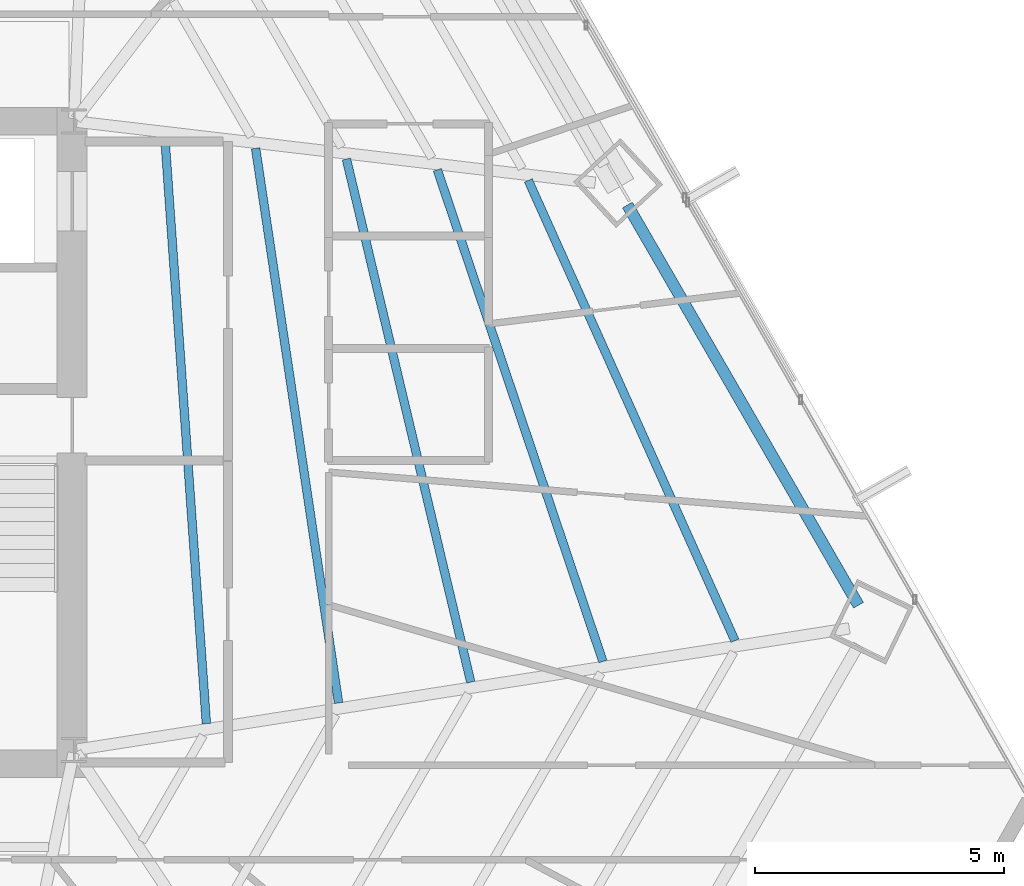
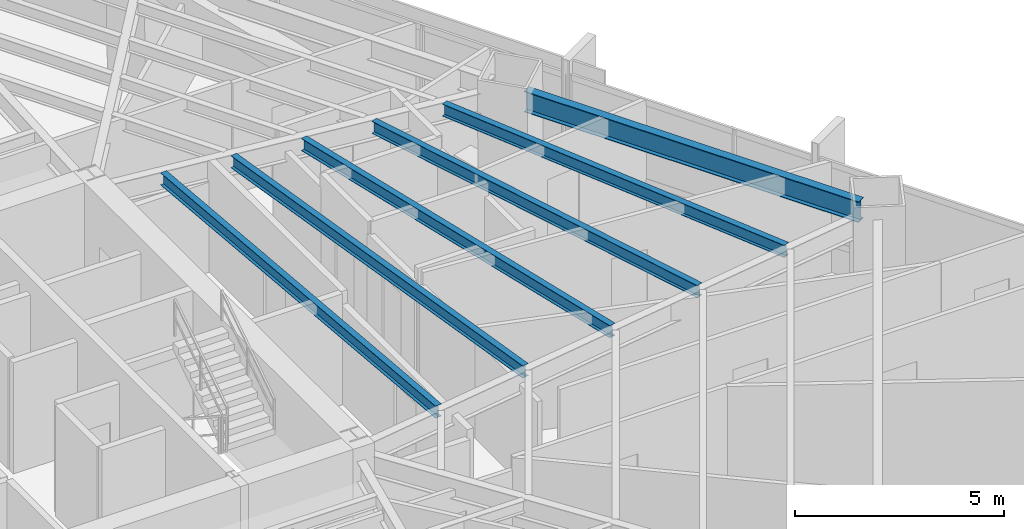
# One storey, part 20 of 39: 6 beams.
"""IFC4 building model written with IfcOpenShell, lengths in metres."""

from ifc_helpers import new_model, si_unit, direction, frame, origin, origin_2d, place, context, subcontext, project, spatial, i_section, extrude, source, transform, mapped, material, material_profile, profile_set, type_object, type_shapes, element, save


model = new_model("IFC4")

# Units and contexts
model_context = context("Model", 3, precision=1e-05, world=origin(), true_north=direction((0.0, 1.0)))
body_context = subcontext(model_context, "Body", "Model", "MODEL_VIEW")
ifc_project = project(units=[si_unit("LENGTHUNIT", "METRE"), si_unit("AREAUNIT", "SQUARE_METRE"), si_unit("VOLUMEUNIT", "CUBIC_METRE"), si_unit("PLANEANGLEUNIT", "RADIAN"), si_unit("MASSUNIT", "GRAM", prefix="KILO")], contexts=[model_context])

# Site, building, storey
site_placement = place(None, origin())
site = spatial("IfcSite", under=ifc_project, at=site_placement, CompositionType="ELEMENT")
building_placement = place(site_placement, origin())
building = spatial("IfcBuilding", under=site, at=building_placement, Name="Caelisora Broadcast Tower", CompositionType="ELEMENT")
storey_placement = place(building_placement, frame((0.0, 0.0, 71.39990234375)))
storey = spatial("IfcBuildingStorey", under=building, at=storey_placement, Name="L18", CompositionType="ELEMENT", Elevation=71.39990234375)

# Beams
ifc_material = material(Name="Steel Grade 350 (AS/NZS 3679.1)", Category="steel")
ifc_material_profile_1 = material_profile(ifc_material, i_section(OverallWidth=0.22900390625, OverallDepth=0.611572265625, WebThickness=0.011962890625, FlangeThickness=0.01953125, at=origin_2d()), Name="Steel Grade 350 (AS/NZS 3679.1)")
ifc_profile_set_1 = profile_set([ifc_material_profile_1], Name="Steel Grade 350 (AS/NZS 3679.1)")
beam_type_1 = type_object("IfcBeamType", Name="PG03", PredefinedType="BEAM", material=ifc_profile_set_1)
shared_shape_1 = source(origin(), body_context, "Body", "SweptSolid", [
    extrude(i_section(OverallWidth=0.22900390625, OverallDepth=0.611572265625, WebThickness=0.011962890625, FlangeThickness=0.01953125, at=origin_2d()), origin(), (0.0, 0.0, 1.0), 9.260986328125),
])
type_shapes(beam_type_1, [shared_shape_1])
beam_1_placement = place(storey_placement, frame((61.219482421875, 20.302978515625, 2.9443359375), z_axis=(-0.499989447885, 0.866031495965, 0.0), x_axis=(-0.866031495965, -0.499989447885, 0.0)))
element("IfcBeam", 1, at=beam_1_placement, inside=storey, type_object=beam_type_1, Name="L18 beam PG03", PredefinedType="BEAM", context=body_context, shape_type="MappedRepresentation", body=[
    mapped(shared_shape_1, transform((0.0, 0.0, 0.0), scale=1.0)),
])
ifc_material_profile_2 = material_profile(ifc_material, i_section(OverallWidth=0.172119140625, OverallDepth=0.358642578125, WebThickness=0.008056640625, FlangeThickness=0.012939453125, at=origin_2d()), Name="Steel Grade 350 (AS/NZS 3679.1)")
ifc_profile_set_2 = profile_set([ifc_material_profile_2], Name="Steel Grade 350 (AS/NZS 3679.1)")
beam_type_2 = type_object("IfcBeamType", Name="SB02", PredefinedType="JOIST", material=ifc_profile_set_2)
shared_shape_2 = source(origin(), body_context, "Body", "SweptSolid", [
    extrude(i_section(OverallWidth=0.172119140625, OverallDepth=0.358642578125, WebThickness=0.008056640625, FlangeThickness=0.012939453125, at=origin_2d()), origin(), (0.0, 0.0, 1.0), 11.775146484375),
])
beam_2_placement = place(storey_placement, frame((48.150390625, 17.9287109375, 3.07080078125), z_axis=(-0.070701859253, 0.997497492277, 0.0), x_axis=(-0.997497492277, -0.070701859253, 0.0)))
element("IfcBeam", 2, at=beam_2_placement, inside=storey, type_object=beam_type_2, Name="L18 beam SB02", PredefinedType="JOIST", context=body_context, shape_type="MappedRepresentation", body=[
    mapped(shared_shape_2, transform((0.0, 0.0, 0.0), scale=1.0)),
])
shared_shape_3 = source(origin(), body_context, "Body", "SweptSolid", [
    extrude(i_section(OverallWidth=0.172119140625, OverallDepth=0.358642578125, WebThickness=0.008056640625, FlangeThickness=0.012939453125, at=origin_2d()), origin(), (0.0, 0.0, 1.0), 11.2392578125),
])
beam_3_placement = place(storey_placement, frame((50.800048828125, 18.344482421875, 3.07080078125), z_axis=(-0.147993101602, 0.988988393197, 0.0), x_axis=(-0.988988393197, -0.147993101602, 0.0)))
element("IfcBeam", 3, at=beam_3_placement, inside=storey, type_object=beam_type_2, Name="L18 beam SB02", PredefinedType="JOIST", context=body_context, shape_type="MappedRepresentation", body=[
    mapped(shared_shape_3, transform((0.0, 0.0, 0.0), scale=1.0)),
])
shared_shape_4 = source(origin(), body_context, "Body", "SweptSolid", [
    extrude(i_section(OverallWidth=0.172119140625, OverallDepth=0.358642578125, WebThickness=0.008056640625, FlangeThickness=0.012939453125, at=origin_2d()), origin(), (0.0, 0.0, 1.0), 10.777099609375),
])
beam_4_placement = place(storey_placement, frame((53.448974609375, 18.760498046875, 3.07080078125), z_axis=(-0.231245854091, 0.972895346358, 0.0), x_axis=(-0.972895346358, -0.231245854091, 0.0)))
element("IfcBeam", 4, at=beam_4_placement, inside=storey, type_object=beam_type_2, Name="L18 beam SB02", PredefinedType="JOIST", context=body_context, shape_type="MappedRepresentation", body=[
    mapped(shared_shape_4, transform((0.0, 0.0, 0.0), scale=1.0)),
])
shared_shape_5 = source(origin(), body_context, "Body", "SweptSolid", [
    extrude(i_section(OverallWidth=0.172119140625, OverallDepth=0.358642578125, WebThickness=0.008056640625, FlangeThickness=0.012939453125, at=origin_2d()), origin(), (0.0, 0.0, 1.0), 10.398193359375),
])
beam_5_placement = place(storey_placement, frame((56.09716796875, 19.176513671875, 3.07080078125), z_axis=(-0.319149394388, 0.947704418087, 0.0), x_axis=(-0.947704418087, -0.319149394388, 0.0)))
element("IfcBeam", 5, at=beam_5_placement, inside=storey, type_object=beam_type_2, Name="L18 beam SB02", PredefinedType="JOIST", context=body_context, shape_type="MappedRepresentation", body=[
    mapped(shared_shape_5, transform((0.0, 0.0, 0.0), scale=1.0)),
])
shared_shape_6 = source(origin(), body_context, "Body", "SweptSolid", [
    extrude(i_section(OverallWidth=0.172119140625, OverallDepth=0.358642578125, WebThickness=0.008056640625, FlangeThickness=0.012939453125, at=origin_2d()), origin(), (0.0, 0.0, 1.0), 10.111083984375),
])
type_shapes(beam_type_2, [shared_shape_2, shared_shape_3, shared_shape_4, shared_shape_5, shared_shape_6])
beam_6_placement = place(storey_placement, frame((58.744140625, 19.59228515625, 3.07080078125), z_axis=(-0.40963264281, 0.912250567522, 0.0), x_axis=(-0.912250567522, -0.40963264281, 0.0)))
element("IfcBeam", 6, at=beam_6_placement, inside=storey, type_object=beam_type_2, Name="L18 beam SB02", PredefinedType="JOIST", context=body_context, shape_type="MappedRepresentation", body=[
    mapped(shared_shape_6, transform((0.0, 0.0, 0.0), scale=1.0)),
])

save(model, "model.ifc")
